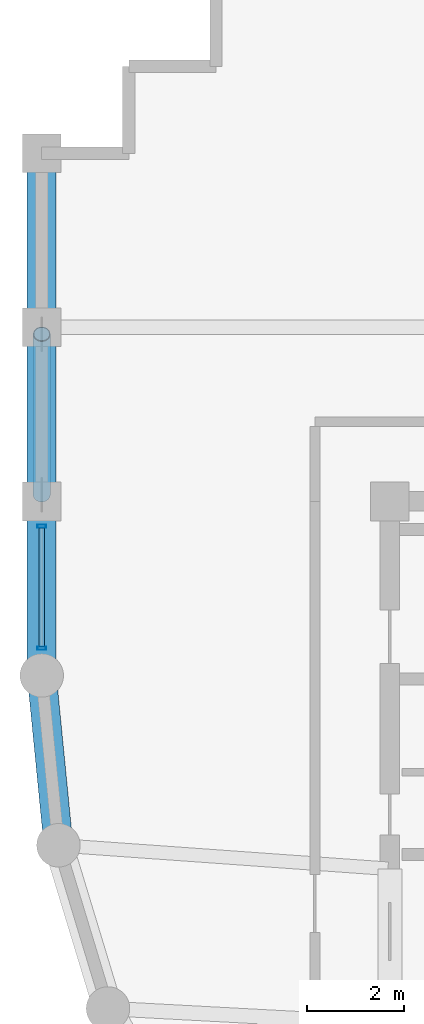
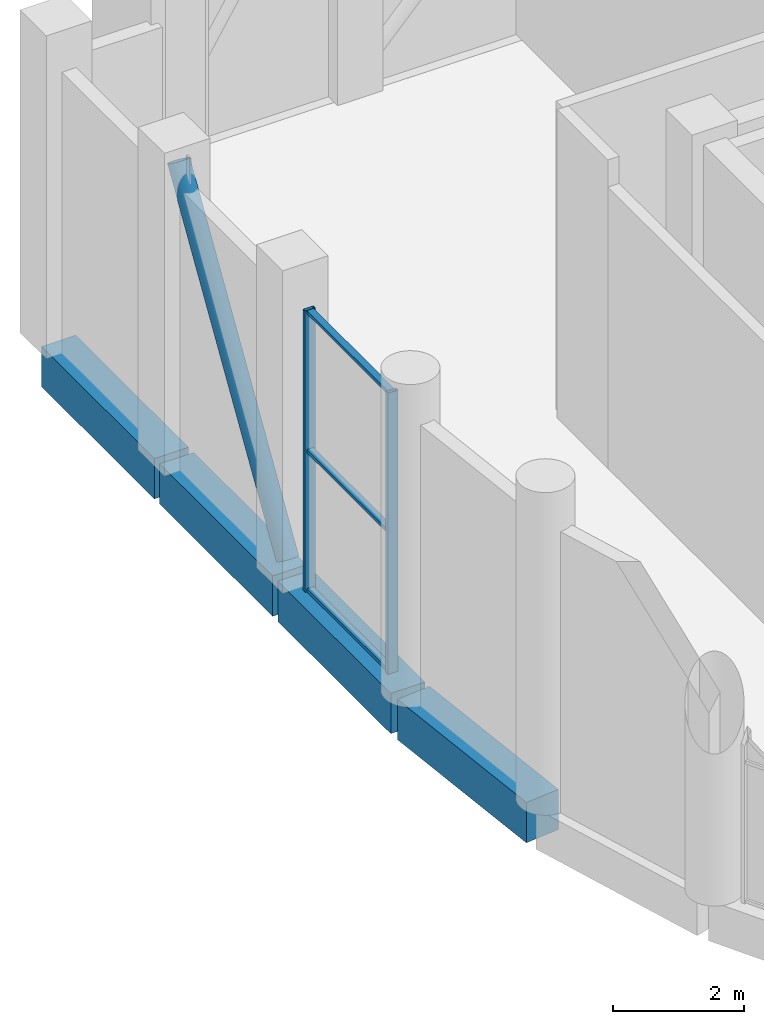
# One storey, part 6 of 17: 6 members, 4 beams, 1 element without a shape of its own.
"""IFC4 building model written with IfcOpenShell, lengths in metres."""

from ifc_helpers import new_model, si_unit, direction, frame, origin, origin_2d, place, context, subcontext, project, spatial, rectangle, hollow_rectangle, hollow_circle, extrude, material, layer, layer_set, material_profile, profile_set, type_object, element, aggregate, save


model = new_model("IFC4")

# Units and contexts
model_context = context("Model", 3, precision=1e-05, world=origin(), true_north=direction((0.0, 1.0)))
body_context = subcontext(model_context, "Body", "Model", "MODEL_VIEW")
ifc_project = project(units=[si_unit("LENGTHUNIT", "METRE"), si_unit("AREAUNIT", "SQUARE_METRE"), si_unit("VOLUMEUNIT", "CUBIC_METRE"), si_unit("PLANEANGLEUNIT", "RADIAN"), si_unit("MASSUNIT", "GRAM", prefix="KILO")], contexts=[model_context])

# Site, building, storey
site_placement = place(None, origin())
site = spatial("IfcSite", under=ifc_project, at=site_placement, CompositionType="ELEMENT")
building_placement = place(site_placement, origin())
building = spatial("IfcBuilding", under=site, at=building_placement, Name="Solnavia Interchange Tower", CompositionType="ELEMENT")
storey_placement = place(building_placement, frame((0.0, 0.0, 249.800048828125)))
storey = spatial("IfcBuildingStorey", under=building, at=storey_placement, Name="L63", CompositionType="ELEMENT", Elevation=249.800048828125)

# Beams
ifc_material_1 = material(Name="Concrete C50/60", Category="concrete")
ifc_material_profile_1 = material_profile(ifc_material_1, rectangle(XDim=0.60009765625, YDim=0.75, at=origin_2d()), Name="RC 600x750")
ifc_profile_set_1 = profile_set([ifc_material_profile_1], Name="Concrete C50/60")
beam_type = type_object("IfcBeamType", Name="Beam-Spandrel-RC600x750", PredefinedType="SPANDREL", material=ifc_profile_set_1)
beam_1_placement = place(storey_placement, frame((7.207763671875, 21.5205078125, -0.375), z_axis=(0.098040038117, -0.995182471171, 0.0), x_axis=(0.995182471171, 0.098040038117, 0.0)))
element("IfcBeam", 1, at=beam_1_placement, inside=storey, type_object=beam_type, Name="SPB-L63-01 Framed-tube perimeter spandrel beam", PredefinedType="SPANDREL", context=body_context, shape_type="SweptSolid", body=[
    extrude(rectangle(XDim=0.60009765625, YDim=0.75, at=origin_2d()), origin(), (0.0, 0.0, 1.0), 3.369140625),
])
beam_2_placement = place(storey_placement, frame((7.199951171875, 32.320068359375, -0.375), z_axis=(0.0, -1.0, 0.0), x_axis=(1.0, 0.0, 0.0)))
element("IfcBeam", 2, at=beam_2_placement, inside=storey, type_object=beam_type, Name="SPB-L63-23 Framed-tube perimeter spandrel beam", PredefinedType="SPANDREL", context=body_context, shape_type="SweptSolid", body=[
    extrude(rectangle(XDim=0.60009765625, YDim=0.75, at=origin_2d()), origin(), (0.0, 0.0, 1.0), 3.440185546875),
])
beam_3_placement = place(storey_placement, frame((7.199951171875, 28.719970703125, -0.375), z_axis=(0.0, -1.0, 0.0), x_axis=(1.0, 0.0, 0.0)))
element("IfcBeam", 3, at=beam_3_placement, inside=storey, type_object=beam_type, Name="SPB-L63-24 Framed-tube perimeter spandrel beam", PredefinedType="SPANDREL", context=body_context, shape_type="SweptSolid", body=[
    extrude(rectangle(XDim=0.60009765625, YDim=0.75, at=origin_2d()), origin(), (0.0, 0.0, 1.0), 3.43994140625),
])
beam_4_placement = place(storey_placement, frame((7.199951171875, 25.1201171875, -0.375), z_axis=(0.0, -1.0, 0.0), x_axis=(1.0, 0.0, 0.0)))
element("IfcBeam", 4, at=beam_4_placement, inside=storey, type_object=beam_type, Name="SPB-L63-25 Framed-tube perimeter spandrel beam", PredefinedType="SPANDREL", context=body_context, shape_type="SweptSolid", body=[
    extrude(rectangle(XDim=0.60009765625, YDim=0.75, at=origin_2d()), origin(), (0.0, 0.0, 1.0), 3.440185546875),
])

# Member
ifc_material_2 = material(Name="Steel S460", Category="steel")
ifc_material_profile_2 = material_profile(ifc_material_2, hollow_circle(Radius=0.177734375, WallThickness=0.01611328125, at=origin_2d()), Name="CHS 355.6x16")
ifc_profile_set_2 = profile_set([ifc_material_profile_2], Name="Steel S460")
member_type_1 = type_object("IfcMemberType", Name="Brace-Perim-CHS355", PredefinedType="BRACE", material=ifc_profile_set_2)
member_1_placement = place(storey_placement, frame((7.199951171875, 25.340087890625, 0.179931640625), z_axis=(0.0, 0.524420150493, 0.851459632488), x_axis=(-1.0, 0.0, 0.0)))
element("IfcMember", 5, at=member_1_placement, inside=storey, type_object=member_type_1, Name="BRC-L63-02 Perimeter tube diagonal brace", PredefinedType="BRACE", context=body_context, shape_type="SweptSolid", body=[
    extrude(hollow_circle(Radius=0.177734375, WallThickness=0.01611328125, at=origin_2d()), origin(), (0.0, 0.0, 1.0), 6.33056640625),
])

# Curtain wall, members
ifc_material_3 = material(Name="Aluminium Alloy 6063-T6", Category="aluminium")
ifc_layer = layer(ifc_material_3, 0.199951171875)
ifc_layer_set = layer_set([ifc_layer], Name="Aluminium Alloy 6063-T6")
curtain_wall_type = type_object("IfcCurtainWallType", Name="CurtainWall-Louvre-CTW5", PredefinedType="NOTDEFINED", material=ifc_layer_set)
curtain_wall_placement = place(storey_placement, origin())
curtain_wall = element("IfcCurtainWall", 6, at=curtain_wall_placement, inside=storey, type_object=curtain_wall_type, Name="CTW-L63-L36 CTW-5 curtain wall", PredefinedType="NOTDEFINED")
ifc_material_profile_3 = material_profile(ifc_material_3, hollow_rectangle(XDim=0.06494140625, YDim=0.179931640625, WallThickness=0.00439453125, at=origin_2d()), Name="ALU 180x65x4.5")
ifc_profile_set_3 = profile_set([ifc_material_profile_3], Name="Aluminium Alloy 6063-T6")
member_type_2 = type_object("IfcMemberType", Name="CW-Mullion-CWM-5", PredefinedType="MULLION", material=ifc_profile_set_3)
member_2_placement = place(storey_placement, frame((7.199951171875, 24.68505859375, 0.0), z_axis=(0.0, 0.0, 1.0), x_axis=(0.0, -1.0, 0.0)))
member_2 = element("IfcMember", 7, at=member_2_placement, type_object=member_type_2, Name="CTW-5 mullion 1", PredefinedType="MULLION", context=body_context, shape_type="SweptSolid", body=[
    extrude(hollow_rectangle(XDim=0.06494140625, YDim=0.179931640625, WallThickness=0.00439453125, at=origin_2d()), origin(), (0.0, 0.0, 1.0), 5.22998046875),
])
member_3_placement = place(storey_placement, frame((7.199951171875, 22.1650390625, 0.0), z_axis=(0.0, 0.0, 1.0), x_axis=(0.0, -1.0, 0.0)))
member_3 = element("IfcMember", 8, at=member_3_placement, type_object=member_type_2, Name="CTW-5 mullion 2", PredefinedType="MULLION", context=body_context, shape_type="SweptSolid", body=[
    extrude(hollow_rectangle(XDim=0.06494140625, YDim=0.179931640625, WallThickness=0.00439453125, at=origin_2d()), origin(), (0.0, 0.0, 1.0), 5.22998046875),
])
ifc_material_profile_4 = material_profile(ifc_material_3, hollow_rectangle(XDim=0.06005859375, YDim=0.1201171875, WallThickness=0.00390625, at=origin_2d()), Name="ALU 120x60x4")
ifc_profile_set_4 = profile_set([ifc_material_profile_4], Name="Aluminium Alloy 6063-T6")
member_type_3 = type_object("IfcMemberType", Name="CW-Transom-CWT-5", PredefinedType="USERDEFINED", material=ifc_profile_set_4)
member_4_placement = place(storey_placement, frame((7.199951171875, 24.652587890625, 0.030029296875), z_axis=(0.0, -1.0, 0.0), x_axis=(0.0, 0.0, 1.0)))
member_4 = element("IfcMember", 9, at=member_4_placement, type_object=member_type_3, Name="CTW-5 transom 1.1", ObjectType="TRANSOM", PredefinedType="USERDEFINED", context=body_context, shape_type="SweptSolid", body=[
    extrude(hollow_rectangle(XDim=0.06005859375, YDim=0.1201171875, WallThickness=0.00390625, at=origin_2d()), origin(), (0.0, 0.0, 1.0), 2.455078125),
])
member_5_placement = place(storey_placement, frame((7.199951171875, 24.652587890625, 2.614990234375), z_axis=(0.0, -1.0, 0.0), x_axis=(0.0, 0.0, 1.0)))
member_5 = element("IfcMember", 10, at=member_5_placement, type_object=member_type_3, Name="CTW-5 transom 1.2", ObjectType="TRANSOM", PredefinedType="USERDEFINED", context=body_context, shape_type="SweptSolid", body=[
    extrude(hollow_rectangle(XDim=0.06005859375, YDim=0.1201171875, WallThickness=0.00390625, at=origin_2d()), origin(), (0.0, 0.0, 1.0), 2.455078125),
])
member_6_placement = place(storey_placement, frame((7.199951171875, 24.652587890625, 5.199951171875), z_axis=(0.0, -1.0, 0.0), x_axis=(0.0, 0.0, 1.0)))
member_6 = element("IfcMember", 11, at=member_6_placement, type_object=member_type_3, Name="CTW-5 transom 1.3", ObjectType="TRANSOM", PredefinedType="USERDEFINED", context=body_context, shape_type="SweptSolid", body=[
    extrude(hollow_rectangle(XDim=0.06005859375, YDim=0.1201171875, WallThickness=0.00390625, at=origin_2d()), origin(), (0.0, 0.0, 1.0), 2.455078125),
])
aggregate(curtain_wall, [member_2, member_3, member_4, member_5, member_6])

save(model, "model.ifc")
